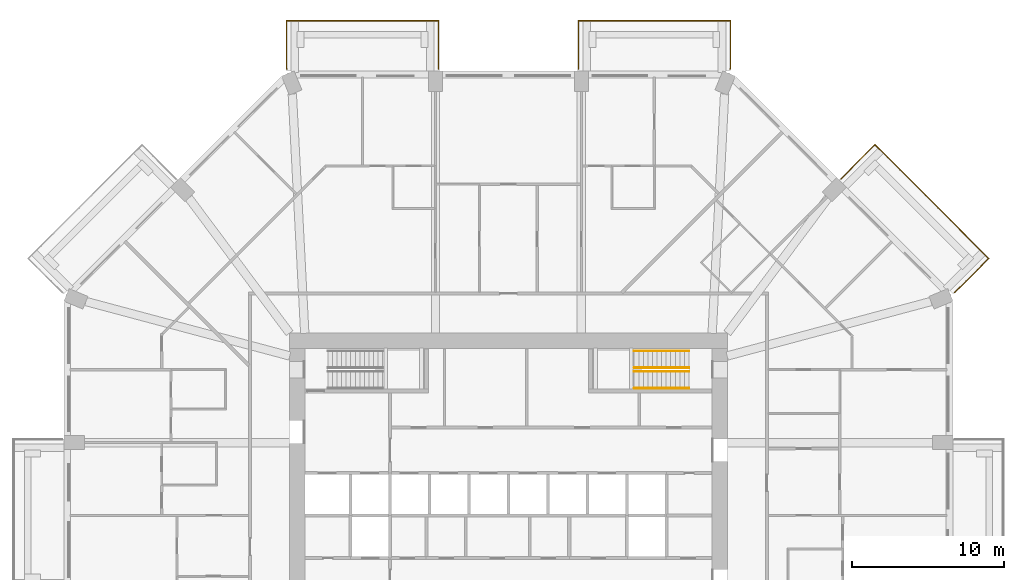
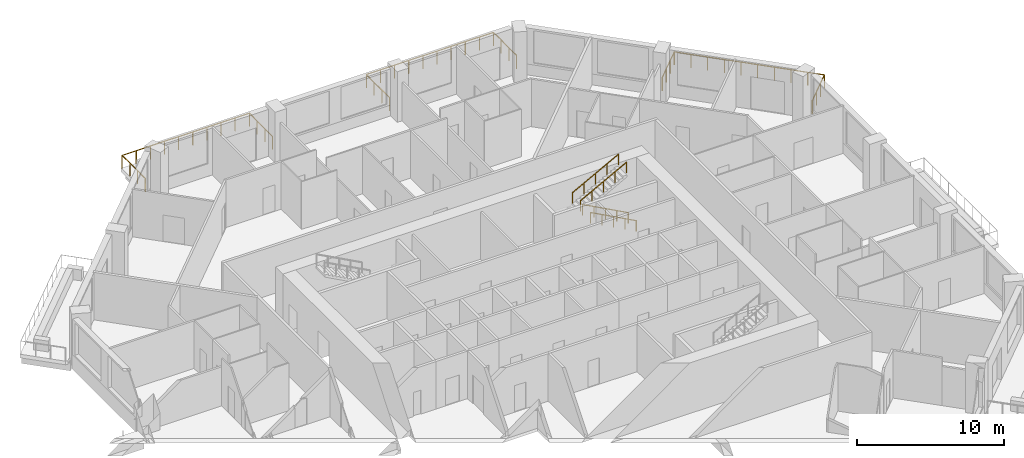
# One storey, part 13 of 13: 7 railings.
"""IFC4 building model written with IfcOpenShell, lengths in metres."""

from ifc_helpers import new_model, si_unit, direction, frame, origin, origin_2d, place, context, subcontext, project, spatial, circle, extrude, material, constituent, constituent_set, type_object, element, save


model = new_model("IFC4")

# Units and contexts
model_context = context("Model", 3, precision=1e-05, world=origin(), true_north=direction((0.0, 1.0)))
body_context = subcontext(model_context, "Body", "Model", "MODEL_VIEW")
ifc_project = project(units=[si_unit("LENGTHUNIT", "METRE"), si_unit("AREAUNIT", "SQUARE_METRE"), si_unit("VOLUMEUNIT", "CUBIC_METRE"), si_unit("PLANEANGLEUNIT", "RADIAN"), si_unit("MASSUNIT", "GRAM", prefix="KILO")], contexts=[model_context])

# Site, building, storey
site_placement = place(None, origin())
site = spatial("IfcSite", under=ifc_project, at=site_placement, CompositionType="ELEMENT")
building_placement = place(site_placement, origin())
building = spatial("IfcBuilding", under=site, at=building_placement, Name="Msitu Wima Residences", CompositionType="ELEMENT")
storey_placement = place(building_placement, frame((0.0, 0.0, 71.699951171875)))
storey = spatial("IfcBuildingStorey", under=building, at=storey_placement, Name="L16", CompositionType="ELEMENT", Elevation=71.699951171875)

# Railings
ifc_material_1 = material(Name="Steel S355", Category="steel")
ifc_constituent_1 = constituent(ifc_material_1, Name="Steel S355")
ifc_material_2 = material(Name="Weathering patina")
ifc_constituent_2 = constituent(ifc_material_2, Name="Weathering patina")
ifc_constituent_set_1 = constituent_set(constituents=[ifc_constituent_1, ifc_constituent_2], Name="Steel S355")
railing_type_1 = type_object("IfcRailingType", Name="Balcony guard GR1100", PredefinedType="GUARDRAIL", material=ifc_constituent_set_1)
railing_1_placement = place(storey_placement, frame((21.86865234375, 22.151611328125, 0.0)))
element("IfcRailing", 1, at=railing_1_placement, inside=storey, type_object=railing_type_1, Name="Balcony guard NE0 L16", PredefinedType="GUARDRAIL", context=body_context, shape_type="SweptSolid", body=[
    extrude(circle(Radius=0.02392578125, at=origin_2d()), frame((0.0, 0.0, 1.076171875), z_axis=(0.707145287287, 0.707068272989, 0.0), x_axis=(-0.707068272989, 0.707145287287, 0.0)), (0.0, 0.0, 1.0), 3.170166015625),
    extrude(circle(Radius=0.02392578125, at=origin_2d()), frame((2.24169921875, 2.241455078125, 1.076171875), z_axis=(0.70709524572, -0.707118316465, 0.0), x_axis=(0.707118316465, 0.70709524572, 0.0)), (0.0, 0.0, 1.0), 10.582275390625),
    extrude(circle(Radius=0.02392578125, at=origin_2d()), frame((9.724365234375, -5.241455078125, 1.076171875), z_axis=(-0.707106781187, -0.707106781187, 0.0), x_axis=(0.707106781187, -0.707106781187, 0.0)), (0.0, 0.0, 1.0), 3.136474609375),
    extrude(circle(Radius=0.02392578125, at=origin_2d()), frame((7.506591796875, -7.459228515625, 1.076171875), z_axis=(-0.923276184907, -0.384136806859, 0.0), x_axis=(0.384136806859, -0.923276184907, 0.0)), (0.0, 0.0, 1.0), 0.0361328125),
    extrude(circle(Radius=0.02099609375, at=origin_2d()), origin(), (0.0, 0.0, 1.0), 1.052001953125),
    extrude(circle(Radius=0.02099609375, at=origin_2d()), frame((0.747314453125, 0.7470703125, 0.0)), (0.0, 0.0, 1.0), 1.052001953125),
    extrude(circle(Radius=0.02099609375, at=origin_2d()), frame((1.494384765625, 1.494384765625, 0.0)), (0.0, 0.0, 1.0), 1.052001953125),
    extrude(circle(Radius=0.02099609375, at=origin_2d()), frame((2.24169921875, 2.241455078125, 0.0)), (0.0, 0.0, 1.0), 1.052001953125),
    extrude(circle(Radius=0.02099609375, at=origin_2d()), frame((3.072998046875, 1.409912109375, 0.0)), (0.0, 0.0, 1.0), 1.052001953125),
    extrude(circle(Radius=0.02099609375, at=origin_2d()), frame((3.904541015625, 0.57861328125, 0.0)), (0.0, 0.0, 1.0), 1.052001953125),
    extrude(circle(Radius=0.02099609375, at=origin_2d()), frame((4.73583984375, -0.2529296875, 0.0)), (0.0, 0.0, 1.0), 1.052001953125),
    extrude(circle(Radius=0.02099609375, at=origin_2d()), frame((5.5673828125, -1.084228515625, 0.0)), (0.0, 0.0, 1.0), 1.052001953125),
    extrude(circle(Radius=0.02099609375, at=origin_2d()), frame((6.398681640625, -1.915771484375, 0.0)), (0.0, 0.0, 1.0), 1.052001953125),
    extrude(circle(Radius=0.02099609375, at=origin_2d()), frame((7.230224609375, -2.7470703125, 0.0)), (0.0, 0.0, 1.0), 1.052001953125),
    extrude(circle(Radius=0.02099609375, at=origin_2d()), frame((8.0615234375, -3.57861328125, 0.0)), (0.0, 0.0, 1.0), 1.052001953125),
    extrude(circle(Radius=0.02099609375, at=origin_2d()), frame((8.89306640625, -4.409912109375, 0.0)), (0.0, 0.0, 1.0), 1.052001953125),
    extrude(circle(Radius=0.02099609375, at=origin_2d()), frame((9.724365234375, -5.241455078125, 0.0)), (0.0, 0.0, 1.0), 1.052001953125),
    extrude(circle(Radius=0.02099609375, at=origin_2d()), frame((8.985107421875, -5.980712890625, 0.0)), (0.0, 0.0, 1.0), 1.052001953125),
    extrude(circle(Radius=0.02099609375, at=origin_2d()), frame((8.245849609375, -6.719970703125, 0.0)), (0.0, 0.0, 1.0), 1.052001953125),
    extrude(circle(Radius=0.02099609375, at=origin_2d()), frame((7.506591796875, -7.459228515625, 0.0)), (0.0, 0.0, 1.0), 1.052001953125),
    extrude(circle(Radius=0.02099609375, at=origin_2d()), frame((7.47314453125, -7.47314453125, 0.0)), (0.0, 0.0, 1.0), 1.052001953125),
])
railing_2_placement = place(storey_placement, frame((4.60009765625, 29.3798828125, 0.0)))
element("IfcRailing", 2, at=railing_2_placement, inside=storey, type_object=railing_type_1, Name="Balcony guard N0 L16", PredefinedType="GUARDRAIL", context=body_context, shape_type="SweptSolid", body=[
    extrude(circle(Radius=0.02392578125, at=origin_2d()), frame((0.0, 0.0, 1.076171875), z_axis=(0.0, 1.0, 0.0), x_axis=(-1.0, 0.0, 0.0)), (0.0, 0.0, 1.0), 3.170166015625),
    extrude(circle(Radius=0.02392578125, at=origin_2d()), frame((0.0, 3.170166015625, 1.076171875), z_axis=(1.0, 0.0, 0.0), x_axis=(0.0, 1.0, 0.0)), (0.0, 0.0, 1.0), 10.0),
    extrude(circle(Radius=0.02392578125, at=origin_2d()), frame((10.0, 3.170166015625, 1.076171875), z_axis=(0.0, -1.0, 0.0), x_axis=(1.0, 0.0, 0.0)), (0.0, 0.0, 1.0), 3.136474609375),
    extrude(circle(Radius=0.02392578125, at=origin_2d()), frame((10.0, 0.03369140625, 1.076171875), z_axis=(-0.38176015442, -0.92426142649, 0.0), x_axis=(0.92426142649, -0.38176015442, 0.0)), (0.0, 0.0, 1.0), 0.036376953125),
    extrude(circle(Radius=0.02099609375, at=origin_2d()), origin(), (0.0, 0.0, 1.0), 1.052001953125),
    extrude(circle(Radius=0.02099609375, at=origin_2d()), frame((0.0, 1.056640625, 0.0)), (0.0, 0.0, 1.0), 1.052001953125),
    extrude(circle(Radius=0.02099609375, at=origin_2d()), frame((0.0, 2.113525390625, 0.0)), (0.0, 0.0, 1.0), 1.052001953125),
    extrude(circle(Radius=0.02099609375, at=origin_2d()), frame((0.0, 3.170166015625, 0.0)), (0.0, 0.0, 1.0), 1.052001953125),
    extrude(circle(Radius=0.02099609375, at=origin_2d()), frame((1.111083984375, 3.170166015625, 0.0)), (0.0, 0.0, 1.0), 1.052001953125),
    extrude(circle(Radius=0.02099609375, at=origin_2d()), frame((2.22216796875, 3.170166015625, 0.0)), (0.0, 0.0, 1.0), 1.052001953125),
    extrude(circle(Radius=0.02099609375, at=origin_2d()), frame((3.333251953125, 3.170166015625, 0.0)), (0.0, 0.0, 1.0), 1.052001953125),
    extrude(circle(Radius=0.02099609375, at=origin_2d()), frame((4.4443359375, 3.170166015625, 0.0)), (0.0, 0.0, 1.0), 1.052001953125),
    extrude(circle(Radius=0.02099609375, at=origin_2d()), frame((5.5556640625, 3.170166015625, 0.0)), (0.0, 0.0, 1.0), 1.052001953125),
    extrude(circle(Radius=0.02099609375, at=origin_2d()), frame((6.666748046875, 3.170166015625, 0.0)), (0.0, 0.0, 1.0), 1.052001953125),
    extrude(circle(Radius=0.02099609375, at=origin_2d()), frame((7.77783203125, 3.170166015625, 0.0)), (0.0, 0.0, 1.0), 1.052001953125),
    extrude(circle(Radius=0.02099609375, at=origin_2d()), frame((8.888916015625, 3.170166015625, 0.0)), (0.0, 0.0, 1.0), 1.052001953125),
    extrude(circle(Radius=0.02099609375, at=origin_2d()), frame((10.0, 3.170166015625, 0.0)), (0.0, 0.0, 1.0), 1.052001953125),
    extrude(circle(Radius=0.02099609375, at=origin_2d()), frame((10.0, 2.124755859375, 0.0)), (0.0, 0.0, 1.0), 1.052001953125),
    extrude(circle(Radius=0.02099609375, at=origin_2d()), frame((10.0, 1.0791015625, 0.0)), (0.0, 0.0, 1.0), 1.052001953125),
    extrude(circle(Radius=0.02099609375, at=origin_2d()), frame((10.0, 0.03369140625, 0.0)), (0.0, 0.0, 1.0), 1.052001953125),
    extrude(circle(Radius=0.02099609375, at=origin_2d()), frame((9.986083984375, 0.0, 0.0)), (0.0, 0.0, 1.0), 1.052001953125),
])
railing_3_placement = place(storey_placement, frame((-14.586181640625, 29.3798828125, 0.0)))
element("IfcRailing", 3, at=railing_3_placement, inside=storey, type_object=railing_type_1, Name="Balcony guard N2 L16", PredefinedType="GUARDRAIL", context=body_context, shape_type="SweptSolid", body=[
    extrude(circle(Radius=0.02392578125, at=origin_2d()), frame((0.0, 0.0, 1.076171875), z_axis=(-0.38176015442, 0.92426142649, 0.0), x_axis=(-0.92426142649, -0.38176015442, 0.0)), (0.0, 0.0, 1.0), 0.036376953125),
    extrude(circle(Radius=0.02392578125, at=origin_2d()), frame((-0.013916015625, 0.03369140625, 1.076171875), z_axis=(0.0, 1.0, 0.0), x_axis=(-1.0, 0.0, 0.0)), (0.0, 0.0, 1.0), 3.136474609375),
    extrude(circle(Radius=0.02392578125, at=origin_2d()), frame((-0.013916015625, 3.170166015625, 1.076171875), z_axis=(1.0, 0.0, 0.0), x_axis=(0.0, 1.0, 0.0)), (0.0, 0.0, 1.0), 10.0),
    extrude(circle(Radius=0.02392578125, at=origin_2d()), frame((9.986083984375, 3.170166015625, 1.076171875), z_axis=(0.0, -1.0, 0.0), x_axis=(1.0, 0.0, 0.0)), (0.0, 0.0, 1.0), 3.170166015625),
    extrude(circle(Radius=0.02099609375, at=origin_2d()), origin(), (0.0, 0.0, 1.0), 1.052001953125),
    extrude(circle(Radius=0.02099609375, at=origin_2d()), frame((-0.013916015625, 0.03369140625, 0.0)), (0.0, 0.0, 1.0), 1.052001953125),
    extrude(circle(Radius=0.02099609375, at=origin_2d()), frame((-0.013916015625, 1.0791015625, 0.0)), (0.0, 0.0, 1.0), 1.052001953125),
    extrude(circle(Radius=0.02099609375, at=origin_2d()), frame((-0.013916015625, 2.124755859375, 0.0)), (0.0, 0.0, 1.0), 1.052001953125),
    extrude(circle(Radius=0.02099609375, at=origin_2d()), frame((-0.013916015625, 3.170166015625, 0.0)), (0.0, 0.0, 1.0), 1.052001953125),
    extrude(circle(Radius=0.02099609375, at=origin_2d()), frame((1.09716796875, 3.170166015625, 0.0)), (0.0, 0.0, 1.0), 1.052001953125),
    extrude(circle(Radius=0.02099609375, at=origin_2d()), frame((2.208251953125, 3.170166015625, 0.0)), (0.0, 0.0, 1.0), 1.052001953125),
    extrude(circle(Radius=0.02099609375, at=origin_2d()), frame((3.3193359375, 3.170166015625, 0.0)), (0.0, 0.0, 1.0), 1.052001953125),
    extrude(circle(Radius=0.02099609375, at=origin_2d()), frame((4.430419921875, 3.170166015625, 0.0)), (0.0, 0.0, 1.0), 1.052001953125),
    extrude(circle(Radius=0.02099609375, at=origin_2d()), frame((5.541748046875, 3.170166015625, 0.0)), (0.0, 0.0, 1.0), 1.052001953125),
    extrude(circle(Radius=0.02099609375, at=origin_2d()), frame((6.65283203125, 3.170166015625, 0.0)), (0.0, 0.0, 1.0), 1.052001953125),
    extrude(circle(Radius=0.02099609375, at=origin_2d()), frame((7.763916015625, 3.170166015625, 0.0)), (0.0, 0.0, 1.0), 1.052001953125),
    extrude(circle(Radius=0.02099609375, at=origin_2d()), frame((8.875, 3.170166015625, 0.0)), (0.0, 0.0, 1.0), 1.052001953125),
    extrude(circle(Radius=0.02099609375, at=origin_2d()), frame((9.986083984375, 3.170166015625, 0.0)), (0.0, 0.0, 1.0), 1.052001953125),
    extrude(circle(Radius=0.02099609375, at=origin_2d()), frame((9.986083984375, 2.113525390625, 0.0)), (0.0, 0.0, 1.0), 1.052001953125),
    extrude(circle(Radius=0.02099609375, at=origin_2d()), frame((9.986083984375, 1.056640625, 0.0)), (0.0, 0.0, 1.0), 1.052001953125),
    extrude(circle(Radius=0.02099609375, at=origin_2d()), frame((9.986083984375, 0.0, 0.0)), (0.0, 0.0, 1.0), 1.052001953125),
])
ifc_constituent_3 = constituent(ifc_material_1, Name="Steel S355")
ifc_material_3 = material(Name="Black powder coating")
ifc_constituent_4 = constituent(ifc_material_3, Name="Black powder coating")
ifc_constituent_set_2 = constituent_set(constituents=[ifc_constituent_3, ifc_constituent_4], Name="Steel S355")
railing_type_2 = type_object("IfcRailingType", Name="Stair handrail HR1", PredefinedType="HANDRAIL", material=ifc_constituent_set_2)
for number, where, name in (
    (4, (11.875, 8.375, 0.16162109375), "Stair 3 handrail"),
    (5, (11.875, 9.47509765625, 0.16162109375), "Stair 3 handrail"),
):
    element("IfcRailing", number, at=place(storey_placement, frame(where)), inside=storey, type_object=railing_type_2, Name=name, PredefinedType="HANDRAIL", context=body_context, shape_type="SweptSolid", body=[
        extrude(circle(Radius=0.02392578125, at=origin_2d()), frame((0.0, 0.0, 0.8759765625), z_axis=(-0.880474934443, 0.0, 0.474092701714), x_axis=(0.0, -1.0, 0.0)), (0.0, 0.0, 1.0), 4.0888671875),
        extrude(circle(Radius=0.02099609375, at=origin_2d()), origin(), (0.0, 0.0, 1.0), 0.851806640625),
        extrude(circle(Radius=0.02099609375, at=origin_2d()), frame((-0.89990234375, 0.0, 0.484619140625)), (0.0, 0.0, 1.0), 0.851806640625),
        extrude(circle(Radius=0.02099609375, at=origin_2d()), frame((-1.800048828125, 0.0, 0.96923828125)), (0.0, 0.0, 1.0), 0.851806640625),
        extrude(circle(Radius=0.02099609375, at=origin_2d()), frame((-2.7001953125, 0.0, 1.453857421875)), (0.0, 0.0, 1.0), 0.851806640625),
        extrude(circle(Radius=0.02099609375, at=origin_2d()), frame((-3.60009765625, 0.0, 1.9384765625)), (0.0, 0.0, 1.0), 0.851806640625),
    ])
for number, where, name in (
    (6, (8.27490234375, 9.72509765625, 2.261474609375), "Stair 3 handrail"),
    (7, (8.27490234375, 10.824951171875, 2.261474609375), "Stair 3 handrail"),
):
    element("IfcRailing", number, at=place(storey_placement, frame(where)), inside=storey, type_object=railing_type_2, Name=name, PredefinedType="HANDRAIL", context=body_context, shape_type="SweptSolid", body=[
        extrude(circle(Radius=0.02392578125, at=origin_2d()), frame((0.0, 0.0, 0.8759765625), z_axis=(0.880474934443, 0.0, 0.474092701714), x_axis=(0.0, 1.0, 0.0)), (0.0, 0.0, 1.0), 4.0888671875),
        extrude(circle(Radius=0.02099609375, at=origin_2d()), origin(), (0.0, 0.0, 1.0), 0.851806640625),
        extrude(circle(Radius=0.02099609375, at=origin_2d()), frame((0.89990234375, 0.0, 0.484619140625)), (0.0, 0.0, 1.0), 0.851806640625),
        extrude(circle(Radius=0.02099609375, at=origin_2d()), frame((1.800048828125, 0.0, 0.96923828125)), (0.0, 0.0, 1.0), 0.851806640625),
        extrude(circle(Radius=0.02099609375, at=origin_2d()), frame((2.7001953125, 0.0, 1.453857421875)), (0.0, 0.0, 1.0), 0.851806640625),
        extrude(circle(Radius=0.02099609375, at=origin_2d()), frame((3.60009765625, 0.0, 1.9384765625)), (0.0, 0.0, 1.0), 0.851806640625),
    ])

save(model, "model.ifc")
